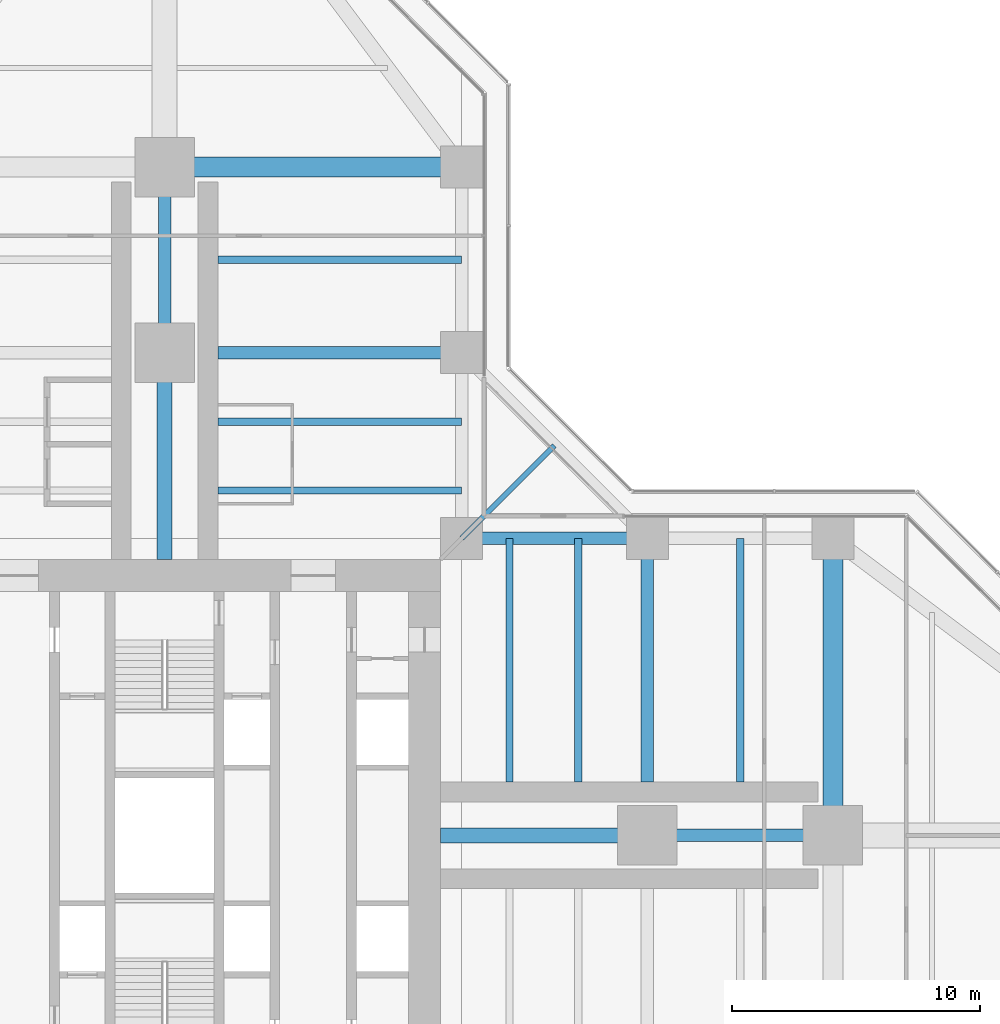
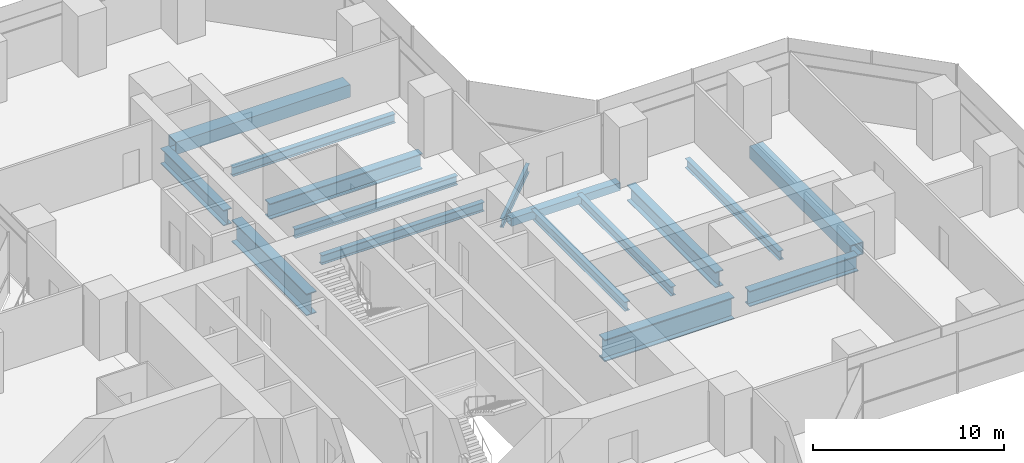
# One storey, part 10 of 22: 16 beams.
"""IFC4 building model written with IfcOpenShell, lengths in metres."""

import ifcopenshell
import ifcopenshell.guid

model = None  # the IFC model being written
_history = None  # IfcOwnerHistory: only IFC2X3 demands one
_inside = {}  # id of a spatial element -> (the spatial element, [elements in it])
_under = {}  # id of a project, library or spatial element -> (it, [spatial elements below it])
_declared = {}  # id of a project -> (the project, [libraries it declares])
_typed = {}  # id of a type object -> (the type object, [elements of that type])
_made_of = {}  # id of a material, layer set ... -> (it, [elements and type objects made of it])


def new_model(schema):
    """Start an empty IFC model of exactly this schema.

    Asked for "IFC4X3", IfcOpenShell would pick the latest addendum, in which some entities
    have other attributes; the version numbers below select the first issue.
    IFC2X3 requires an IfcOwnerHistory on every rooted entity: one is made here for all.
    """
    global model, _history
    if schema == "IFC4X3":
        model = ifcopenshell.file(schema_version=(4, 3, 0, 0))
    else:
        model = ifcopenshell.file(schema=schema)
    _inside.clear()
    _under.clear()
    _declared.clear()
    _typed.clear()
    _made_of.clear()
    _history = None
    if model.schema == "IFC2X3":
        org = make("IfcOrganization", Name="unknown")
        user = make(
            "IfcPersonAndOrganization",
            ThePerson=make("IfcPerson", FamilyName="unknown"),
            TheOrganization=org,
        )
        app = make(
            "IfcApplication",
            ApplicationDeveloper=org,
            Version="unknown",
            ApplicationFullName="unknown",
            ApplicationIdentifier="unknown",
        )
        _history = make(
            "IfcOwnerHistory",
            OwningUser=user,
            OwningApplication=app,
            ChangeAction="ADDED",
            CreationDate=0,
        )
    return model


def make(cls, **values):
    """One entity of the class cls with the attributes given. An attribute that is None is left unset."""
    return model.create_entity(
        cls, **{name: value for name, value in values.items() if value is not None}
    )


def rooted(cls, **values):
    """An entity with a GlobalId (a new one), such as an element, a storey or a relation."""
    return make(cls, GlobalId=ifcopenshell.guid.new(), OwnerHistory=_history, **values)


def si_unit(unit_type, name, prefix=None):
    """IfcSIUnit, for example si_unit("LENGTHUNIT", "METRE", prefix="MILLI")."""
    return make("IfcSIUnit", UnitType=unit_type, Prefix=prefix, Name=name)


def assignment(units):
    """IfcUnitAssignment: the units of a project."""
    return None if units is None else make("IfcUnitAssignment", Units=units)


def point(xyz):
    """IfcCartesianPoint."""
    return None if xyz is None else make("IfcCartesianPoint", Coordinates=xyz)


def direction(xyz):
    """IfcDirection."""
    return None if xyz is None else make("IfcDirection", DirectionRatios=xyz)


def frame(location, z_axis=None, x_axis=None):
    """IfcAxis2Placement3D, a coordinate frame: its origin and axes. An axis left out is left unset."""
    return make(
        "IfcAxis2Placement3D",
        Location=point(location),
        Axis=direction(z_axis),
        RefDirection=direction(x_axis),
    )


def frame_2d(location, x_axis=None):
    """IfcAxis2Placement2D, a coordinate frame in the plane: its origin and x axis."""
    return make(
        "IfcAxis2Placement2D", Location=point(location), RefDirection=direction(x_axis)
    )


def origin():
    """The frame at (0, 0, 0) with its axes left unset."""
    return frame((0.0, 0.0, 0.0))


def origin_2d():
    """The frame at (0, 0) in the plane with its x axis left unset."""
    return frame_2d((0.0, 0.0))


def place(relative_to, where):
    """IfcLocalPlacement: puts the frame where relative to a parent placement (None: the world)."""
    return make(
        "IfcLocalPlacement", PlacementRelTo=relative_to, RelativePlacement=where
    )


def context(
    kind, dimensions, precision=None, world=None, true_north=None, identifier=None
):
    """IfcGeometricRepresentationContext, for example the 3D "Model" context."""
    return make(
        "IfcGeometricRepresentationContext",
        ContextIdentifier=identifier,
        ContextType=kind,
        CoordinateSpaceDimension=dimensions,
        Precision=precision,
        WorldCoordinateSystem=world,
        TrueNorth=true_north,
    )


def subcontext(parent, identifier, kind, view, scale=None):
    """IfcGeometricRepresentationSubContext, for example "Body" below "Model"."""
    return make(
        "IfcGeometricRepresentationSubContext",
        ContextIdentifier=identifier,
        ContextType=kind,
        ParentContext=parent,
        TargetScale=scale,
        TargetView=view,
    )


def project(units=None, contexts=None):
    """IfcProject with its units and contexts."""
    return rooted(
        "IfcProject",
        Name="project",
        RepresentationContexts=contexts,
        UnitsInContext=assignment(units),
    )


def spatial(cls, under=None, at=None, **own):
    """A site, building, storey or space (cls), placed at a placement, below another one or the project."""
    s = rooted(cls, ObjectPlacement=at, **own)
    if under is not None:
        _under.setdefault(under.id(), (under, []))[1].append(s)
    return s


def profile(cls, at=None, kind="AREA", **sizes):
    """A parametric profile (cls). Its sizes go by their IFC names, for example OverallWidth=200.0."""
    return make(cls, ProfileType=kind, Position=at, **sizes)


def hollow_rectangle(**sizes):
    """IfcRectangleHollowProfileDef."""
    return profile("IfcRectangleHollowProfileDef", **sizes)


def i_section(**sizes):
    """IfcIShapeProfileDef."""
    return profile("IfcIShapeProfileDef", **sizes)


def extrude(swept, where, along, depth):
    """IfcExtrudedAreaSolid: the profile swept, set in the frame where, extruded along a direction by depth."""
    return make(
        "IfcExtrudedAreaSolid",
        SweptArea=swept,
        Position=where,
        ExtrudedDirection=direction(along),
        Depth=depth,
    )


def shape(context_of_items, identifier, shape_type, items):
    """IfcShapeRepresentation: the items that make up one representation, for example the "Body"."""
    return make(
        "IfcShapeRepresentation",
        ContextOfItems=context_of_items,
        RepresentationIdentifier=identifier,
        RepresentationType=shape_type,
        Items=items,
    )


def material(Name=None, Category=None):
    """IfcMaterial."""
    return make("IfcMaterial", Name=Name, Category=Category)


def material_profile(
    of_material, cross_section, Name=None, Category=None, Priority=None
):
    """IfcMaterialProfile: a cross section and its material."""
    return make(
        "IfcMaterialProfile",
        Name=Name,
        Material=of_material,
        Profile=cross_section,
        Priority=Priority,
        Category=Category,
    )


def profile_set(profiles, Name=None, composite=None):
    """IfcMaterialProfileSet."""
    return make(
        "IfcMaterialProfileSet",
        Name=Name,
        MaterialProfiles=profiles,
        CompositeProfile=composite,
    )


def made_of(thing, what):
    """Note that an element or type object is made of a material, layer set ...; save() writes the relation."""
    if what is not None:
        _made_of.setdefault(what.id(), (what, []))[1].append(thing)
    return thing


def type_object(cls, material=None, **own):
    """A type object (cls), such as IfcWallType, which elements share."""
    return made_of(rooted(cls, **own), material)


def element(
    cls,
    number,
    at=None,
    inside=None,
    cuts=None,
    type_object=None,
    material=None,
    context=None,
    identifier="Body",
    shape_type=None,
    held_by="IfcProductDefinitionShape",
    body=None,
    shapes=None,
    **own,
):
    """One element of the class cls, such as IfcWall. Its Tag is "e" and its number.

    at: its placement. inside: the storey or other place that contains it. cuts: it is an
    opening in that element (IfcRelVoidsElement). A single representation is given by context,
    identifier, shape_type and body (its items); several are given by shapes. held_by: the class
    of the entity that holds the representations. save() writes the other relations.
    """
    e = rooted(cls, Tag="e%d" % number, ObjectPlacement=at, **own)
    if body is not None:
        shapes = [shape(context, identifier, shape_type, body)]
    if shapes is not None:
        e.Representation = make(held_by, Representations=shapes)
    if inside is not None:
        _inside.setdefault(inside.id(), (inside, []))[1].append(e)
    if cuts is not None:
        rooted(
            "IfcRelVoidsElement", RelatingBuildingElement=cuts, RelatedOpeningElement=e
        )
    if type_object is not None:
        _typed.setdefault(type_object.id(), (type_object, []))[1].append(e)
    return made_of(e, material)


def aggregate(whole, parts):
    """IfcRelAggregates: a whole, such as a stair, and the parts it consists of."""
    return rooted("IfcRelAggregates", RelatingObject=whole, RelatedObjects=parts)


def save(model, path):
    """Write the relations noted so far, then the file.

    IfcRelAggregates (storeys below a building ...), IfcRelContainedInSpatialStructure (elements
    in a storey), IfcRelDefinesByType, IfcRelAssociatesMaterial and IfcRelDeclares: one each for
    every whole, place, type object, material and project.
    """
    for whole, parts in _under.values():
        aggregate(whole, parts)
    for where, things in _inside.values():
        rooted(
            "IfcRelContainedInSpatialStructure",
            RelatedElements=things,
            RelatingStructure=where,
        )
    for kind, things in _typed.values():
        rooted("IfcRelDefinesByType", RelatedObjects=things, RelatingType=kind)
    for what, things in _made_of.values():
        rooted("IfcRelAssociatesMaterial", RelatedObjects=things, RelatingMaterial=what)
    for by, libraries in _declared.values():
        rooted("IfcRelDeclares", RelatingContext=by, RelatedDefinitions=libraries)
    model.write(path)


model = new_model("IFC4")

# Units and contexts
model_context = context("Model", 3, precision=1e-05, world=origin(), true_north=direction((0.0, 1.0)))
body_context = subcontext(model_context, "Body", "Model", "MODEL_VIEW")
ifc_project = project(units=[si_unit("LENGTHUNIT", "METRE"), si_unit("AREAUNIT", "SQUARE_METRE"), si_unit("VOLUMEUNIT", "CUBIC_METRE"), si_unit("PLANEANGLEUNIT", "RADIAN"), si_unit("MASSUNIT", "GRAM", prefix="KILO")], contexts=[model_context])

# Site, building, storey
site_placement = place(None, origin())
site = spatial("IfcSite", under=ifc_project, at=site_placement, CompositionType="ELEMENT")
building_placement = place(site_placement, origin())
building = spatial("IfcBuilding", under=site, at=building_placement, Name="Mizan Broadcast Tower", CompositionType="ELEMENT")
storey_placement = place(building_placement, frame((0.0, 0.0, 66.89990234375)))
storey = spatial("IfcBuildingStorey", under=building, at=storey_placement, Name="L13", CompositionType="ELEMENT", Elevation=66.89990234375)

# Beams
ifc_material_1 = material(Name="Steel S355", Category="steel")
ifc_material_profile_1 = material_profile(ifc_material_1, hollow_rectangle(XDim=0.5, YDim=0.5, WallThickness=0.030029296875, at=origin_2d()), Name="BOX 500x500x30")
ifc_profile_set_1 = profile_set([ifc_material_profile_1], Name="Steel S355")
beam_type_1 = type_object("IfcBeamType", Name="EDGE BEAM BOX 500x500x30", PredefinedType="SPANDREL", material=ifc_profile_set_1)
beam_1_placement = place(storey_placement, frame((12.449951171875, 12.0, -0.3798828125), z_axis=(1.0, 0.0, 0.0), x_axis=(0.0, 1.0, 0.0)))
element("IfcBeam", 1, at=beam_1_placement, inside=storey, type_object=beam_type_1, Name="Edge beam BOX 500x500x30 L13 east arm", PredefinedType="SPANDREL", context=body_context, shape_type="SweptSolid", body=[
    extrude(hollow_rectangle(XDim=0.5, YDim=0.5, WallThickness=0.030029296875, at=origin_2d()), origin(), (0.0, 0.0, 1.0), 6.60009765625),
])
ifc_material_2 = material(Name="Steel S460", Category="steel")
ifc_material_profile_2 = material_profile(ifc_material_2, hollow_rectangle(XDim=0.800048828125, YDim=0.800048828125, WallThickness=0.050048828125, at=origin_2d()), Name="BOX 800x800x50")
ifc_profile_set_2 = profile_set([ifc_material_profile_2], Name="Steel S460")
beam_type_2 = type_object("IfcBeamType", Name="GIRDER BOX 800x800x50", PredefinedType="BEAM", material=ifc_profile_set_2)
for number, where, z_axis, x_axis, name in (
    (2, (27.0, 11.280029296875, -0.52978515625), (0.0, -1.0, 0.0), (1.0, 0.0, 0.0), "Girder BOX 800x800x50 L13 east arm"),
    (3, (11.280029296875, 27.0, -0.52978515625), (-1.0, 0.0, 0.0), (0.0, -1.0, 0.0), "Girder BOX 800x800x50 L13 north arm"),
):
    element("IfcBeam", number, at=place(storey_placement, frame(where, z_axis=z_axis, x_axis=x_axis)), inside=storey, type_object=beam_type_2, Name=name, PredefinedType="BEAM", context=body_context, shape_type="SweptSolid", body=[
        extrude(hollow_rectangle(XDim=0.800048828125, YDim=0.800048828125, WallThickness=0.050048828125, at=origin_2d()), origin(), (0.0, 0.0, 1.0), 10.56005859375),
    ])
ifc_material_3 = material(Name="Steel S460", Category="steel")
ifc_material_profile_3 = material_profile(ifc_material_3, i_section(OverallWidth=0.5, OverallDepth=1.0, WebThickness=0.02490234375, FlangeThickness=0.050048828125, at=origin_2d()), Name="WPG 1000x500")
ifc_profile_set_3 = profile_set([ifc_material_profile_3], Name="Steel S460")
beam_type_3 = type_object("IfcBeamType", Name="GIRDER WPG 1000x500", PredefinedType="BEAM", material=ifc_profile_set_3)
beam_2_placement = place(storey_placement, frame((19.949951171875, 0.0, -0.6298828125), z_axis=(1.0, 0.0, 0.0), x_axis=(0.0, 1.0, 0.0)))
element("IfcBeam", 4, at=beam_2_placement, inside=storey, type_object=beam_type_3, Name="Girder WPG 1000x500 L13 east arm", PredefinedType="BEAM", context=body_context, shape_type="SweptSolid", body=[
    extrude(i_section(OverallWidth=0.5, OverallDepth=1.0, WebThickness=0.02490234375, FlangeThickness=0.050048828125, at=origin_2d()), origin(), (0.0, 0.0, 1.0), 6.60009765625),
])
beam_3_placement = place(storey_placement, frame((19.5, 11.408935546875, -0.6298828125), z_axis=(0.0, -1.0, 0.0), x_axis=(1.0, 0.0, 0.0)))
element("IfcBeam", 5, at=beam_3_placement, inside=storey, type_object=beam_type_3, Name="Girder WPG 1000x500 L13 east arm", PredefinedType="BEAM", context=body_context, shape_type="SweptSolid", body=[
    extrude(i_section(OverallWidth=0.5, OverallDepth=1.0, WebThickness=0.02490234375, FlangeThickness=0.050048828125, at=origin_2d()), origin(), (0.0, 0.0, 1.0), 9.259033203125),
])
beam_4_placement = place(storey_placement, frame((0.0, 19.949951171875, -0.6298828125), z_axis=(0.0, 1.0, 0.0), x_axis=(-1.0, 0.0, 0.0)))
element("IfcBeam", 6, at=beam_4_placement, inside=storey, type_object=beam_type_3, Name="Girder WPG 1000x500 L13 north arm", PredefinedType="BEAM", context=body_context, shape_type="SweptSolid", body=[
    extrude(i_section(OverallWidth=0.5, OverallDepth=1.0, WebThickness=0.02490234375, FlangeThickness=0.050048828125, at=origin_2d()), origin(), (0.0, 0.0, 1.0), 6.60009765625),
])
beam_5_placement = place(storey_placement, frame((11.408935546875, 19.5, -0.6298828125), z_axis=(-1.0, 0.0, 0.0), x_axis=(0.0, -1.0, 0.0)))
element("IfcBeam", 7, at=beam_5_placement, inside=storey, type_object=beam_type_3, Name="Girder WPG 1000x500 L13 north arm", PredefinedType="BEAM", context=body_context, shape_type="SweptSolid", body=[
    extrude(i_section(OverallWidth=0.5, OverallDepth=1.0, WebThickness=0.02490234375, FlangeThickness=0.050048828125, at=origin_2d()), origin(), (0.0, 0.0, 1.0), 9.259033203125),
])
ifc_material_4 = material(Name="Steel S460", Category="steel")
ifc_material_profile_4 = material_profile(ifc_material_4, i_section(OverallWidth=0.60009765625, OverallDepth=1.39990234375, WebThickness=0.02490234375, FlangeThickness=0.06005859375, at=origin_2d()), Name="WPG 1400x600")
ifc_profile_set_4 = profile_set([ifc_material_profile_4], Name="Steel S460")
beam_type_4 = type_object("IfcBeamType", Name="GIRDER WPG 1400x600", PredefinedType="BEAM", material=ifc_profile_set_4)
for number, where, z_axis, x_axis, name in (
    (8, (11.14990234375, 0.0, -0.829833984375), (1.0, 0.0, 0.0), (0.0, 1.0, 0.0), "Girder WPG 1400x600 L13 east arm"),
    (9, (0.0, 11.14990234375, -0.829833984375), (0.0, 1.0, 0.0), (-1.0, 0.0, 0.0), "Girder WPG 1400x600 L13 north arm"),
):
    element("IfcBeam", number, at=place(storey_placement, frame(where, z_axis=z_axis, x_axis=x_axis)), inside=storey, type_object=beam_type_4, Name=name, PredefinedType="BEAM", context=body_context, shape_type="SweptSolid", body=[
        extrude(i_section(OverallWidth=0.60009765625, OverallDepth=1.39990234375, WebThickness=0.02490234375, FlangeThickness=0.06005859375, at=origin_2d()), origin(), (0.0, 0.0, 1.0), 7.84912109375),
    ])
ifc_material_5 = material(Name="Steel S355", Category="steel")
ifc_material_profile_5 = material_profile(ifc_material_5, i_section(OverallWidth=0.300048828125, OverallDepth=0.590087890625, WebThickness=0.012939453125, FlangeThickness=0.02490234375, FilletRadius=0.027099609375, at=origin_2d()), Name="HEA 600")
ifc_profile_set_5 = profile_set([ifc_material_profile_5], Name="Steel S355")
beam_type_5 = type_object("IfcBeamType", Name="SECONDARY BEAM HEA 600", PredefinedType="JOIST", material=ifc_profile_set_5)
for number, where, z_axis, x_axis, name in (
    (10, (13.933349609375, 12.0, -0.4248046875), (0.0, -1.0, 0.0), (1.0, 0.0, 0.0), "Secondary beam HEA 600 L13 east arm"),
    (11, (16.716552734375, 12.0, -0.4248046875), (0.0, -1.0, 0.0), (1.0, 0.0, 0.0), "Secondary beam HEA 600 L13 east arm"),
    (12, (23.25, 12.0, -0.4248046875), (0.0, -1.0, 0.0), (1.0, 0.0, 0.0), "Secondary beam HEA 600 L13 east arm"),
    (13, (12.0, 13.933349609375, -0.4248046875), (-1.0, 0.0, 0.0), (0.0, -1.0, 0.0), "Secondary beam HEA 600 L13 north arm"),
    (14, (12.0, 16.716552734375, -0.4248046875), (-1.0, 0.0, 0.0), (0.0, -1.0, 0.0), "Secondary beam HEA 600 L13 north arm"),
    (15, (12.0, 23.25, -0.4248046875), (-1.0, 0.0, 0.0), (0.0, -1.0, 0.0), "Secondary beam HEA 600 L13 north arm"),
):
    element("IfcBeam", number, at=place(storey_placement, frame(where, z_axis=z_axis, x_axis=x_axis)), inside=storey, type_object=beam_type_5, Name=name, PredefinedType="JOIST", context=body_context, shape_type="SweptSolid", body=[
        extrude(i_section(OverallWidth=0.300048828125, OverallDepth=0.590087890625, WebThickness=0.012939453125, FlangeThickness=0.02490234375, FilletRadius=0.027099609375, at=origin_2d()), origin(), (0.0, 0.0, 1.0), 9.85009765625),
    ])
ifc_material_6 = material(Name="Steel S355", Category="steel")
ifc_material_profile_6 = material_profile(ifc_material_6, i_section(OverallWidth=0.2099609375, OverallDepth=0.550048828125, WebThickness=0.010986328125, FlangeThickness=0.01708984375, FilletRadius=0.02392578125, at=origin_2d()), Name="IPE 550")
ifc_profile_set_6 = profile_set([ifc_material_profile_6], Name="Steel S355")
beam_type_6 = type_object("IfcBeamType", Name="SECONDARY BEAM IPE 550", PredefinedType="JOIST", material=ifc_profile_set_6)
beam_6_placement = place(storey_placement, frame((12.0, 12.0, -0.40478515625), z_axis=(0.707106781187, 0.707106781187, 0.0), x_axis=(-0.707106781187, 0.707106781187, 0.0)))
element("IfcBeam", 16, at=beam_6_placement, inside=storey, type_object=beam_type_6, Name="Winter garden beam L13 E", PredefinedType="JOIST", context=body_context, shape_type="SweptSolid", body=[
    extrude(i_section(OverallWidth=0.2099609375, OverallDepth=0.550048828125, WebThickness=0.010986328125, FlangeThickness=0.01708984375, FilletRadius=0.02392578125, at=origin_2d()), origin(), (0.0, 0.0, 1.0), 5.30322265625),
])

save(model, "model.ifc")
